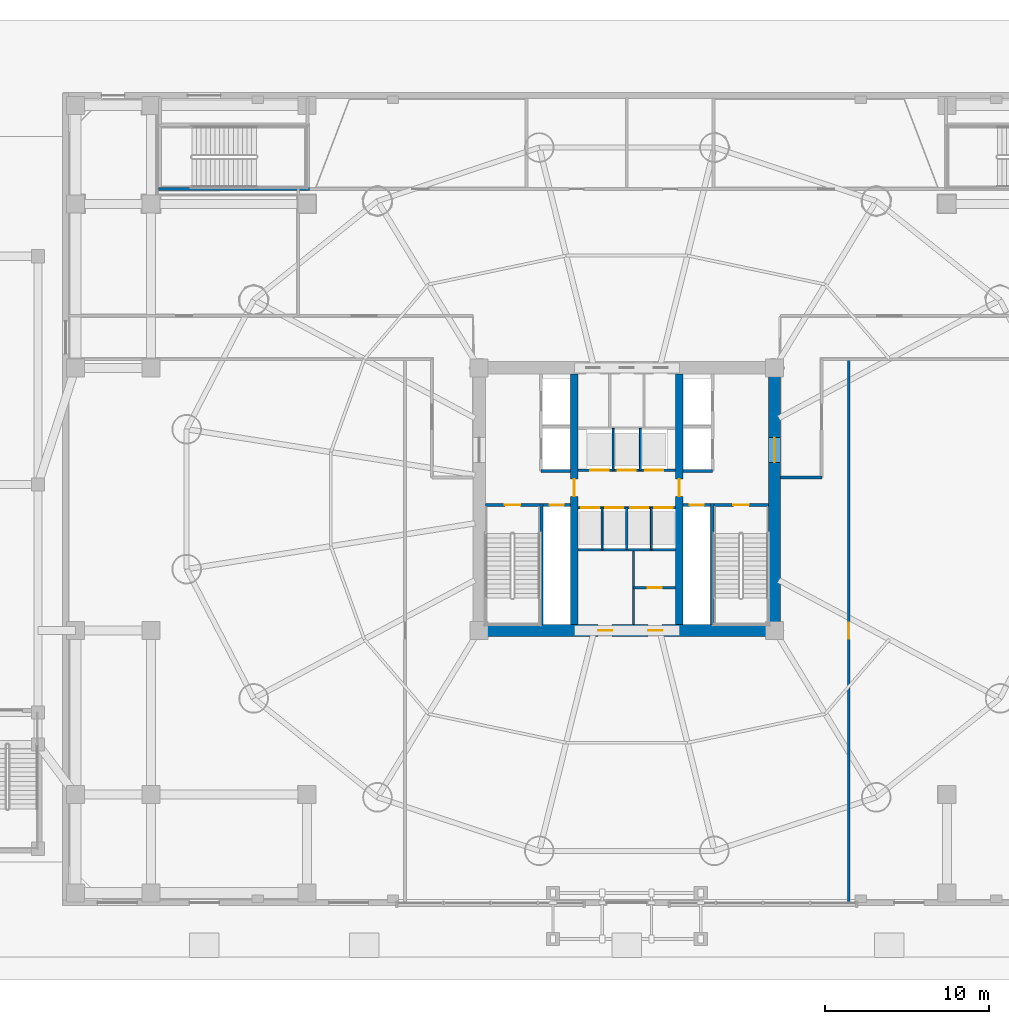
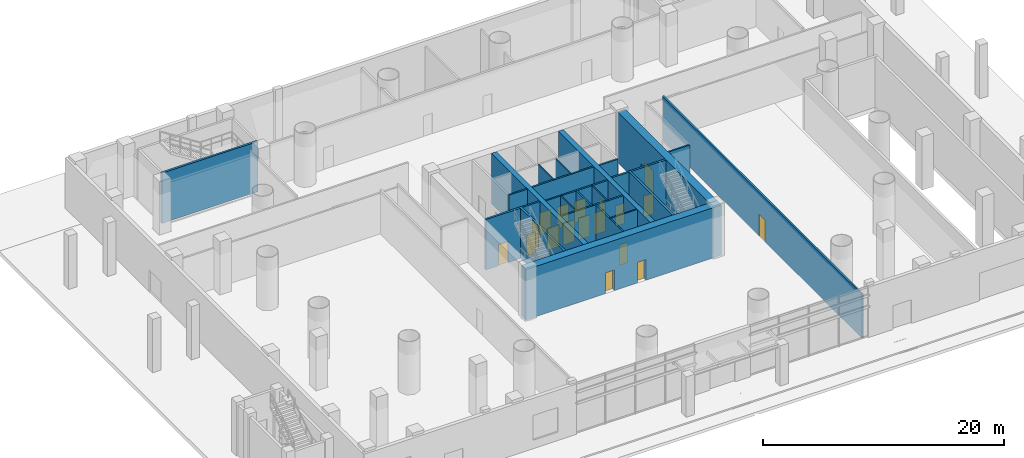
# One storey, part 10 of 25: 25 walls, 18 doors, 18 openings.
"""IFC4 building model written with IfcOpenShell, lengths in metres."""

from ifc_helpers import new_model, si_unit, direction, frame, frame_2d, origin, place, context, subcontext, project, spatial, rectangle, extrude, source, transform, mapped, material, layer, layer_set, type_object, element, fill, save


model = new_model("IFC4")

# Units and contexts
model_context = context("Model", 3, precision=1e-05, world=origin(), true_north=direction((-0.2419218956, 0.970295726276)))
body_context = subcontext(model_context, "Body", "Model", "MODEL_VIEW")
ifc_project = project(units=[si_unit("LENGTHUNIT", "METRE"), si_unit("AREAUNIT", "SQUARE_METRE"), si_unit("VOLUMEUNIT", "CUBIC_METRE"), si_unit("PLANEANGLEUNIT", "RADIAN"), si_unit("MASSUNIT", "GRAM", prefix="KILO")], contexts=[model_context])

# Site, building, storey
site_placement = place(None, origin())
site = spatial("IfcSite", under=ifc_project, at=site_placement, CompositionType="ELEMENT")
building_placement = place(site_placement, origin())
building = spatial("IfcBuilding", under=site, at=building_placement, Name="Cobrevalo Terracotta Tower", CompositionType="ELEMENT")
storey_placement = place(building_placement, origin())
storey = spatial("IfcBuildingStorey", under=building, at=storey_placement, Name="L00", CompositionType="ELEMENT", Elevation=0.0)

# Wall, openings, doors
ifc_material_1 = material(Name="Concrete C60", Category="concrete")
ifc_layer_1 = layer(ifc_material_1, 0.75)
ifc_layer_set_1 = layer_set([ifc_layer_1], Name="Concrete C60")
wall_type_1 = type_object("IfcWallType", Name="Core shear wall 750 mm Concrete C60", PredefinedType="SHEAR", material=ifc_layer_set_1)
wall_1_placement = place(storey_placement, frame((28.625, 18.800048828125, 0.0), z_axis=(0.0, 0.0, 1.0), x_axis=(1.0, 0.0, 0.0)))
wall_1 = element("IfcWall", 1, at=wall_1_placement, inside=storey, type_object=wall_type_1, Name="L00 south core shear wall", PredefinedType="SHEAR", context=body_context, shape_type="SweptSolid", body=[
    extrude(rectangle(XDim=18.75, YDim=0.75, at=frame_2d((9.375, 0.0))), origin(), (0.0, 0.0, 1.0), 5.10009765625),
])
opening_1_placement = place(wall_1_placement, frame((7.62744140625, 0.0, 0.0)))
opening_1 = element("IfcOpeningElement", 2, at=opening_1_placement, cuts=wall_1, Name="Opening ID-22", PredefinedType="OPENING", context=body_context, shape_type="SweptSolid", body=[
    extrude(rectangle(XDim=0.85009765625, YDim=2.10009765625, at=frame_2d((0.425048828125, 1.050048828125))), frame((0.0, 0.385009765625, 0.0), z_axis=(0.0, -1.0, 0.0), x_axis=(1.0, 0.0, 0.0)), (0.0, 0.0, 1.0), 0.77001953125),
])
opening_2_placement = place(wall_1_placement, frame((10.672607421875, 0.0, 0.0)))
opening_2 = element("IfcOpeningElement", 3, at=opening_2_placement, cuts=wall_1, Name="Opening ID-22", PredefinedType="OPENING", context=body_context, shape_type="SweptSolid", body=[
    extrude(rectangle(XDim=0.85009765625, YDim=2.10009765625, at=frame_2d((0.425048828125, 1.050048828125))), frame((0.0, 0.385009765625, 0.0), z_axis=(0.0, -1.0, 0.0), x_axis=(1.0, 0.0, 0.0)), (0.0, 0.0, 1.0), 0.77001953125),
])
ifc_material_2 = material(Name="Powder-coated steel", Category="steel")
door_type_1 = type_object("IfcDoorType", Name="Riser shaft & meter closet fire access door 850x2100 EI 60", OperationType="NOTDEFINED", PredefinedType="DOOR", material=ifc_material_2)
shared_shape_1 = source(origin(), body_context, "Body", "SweptSolid", [
    extrude(rectangle(XDim=0.85009765625, YDim=2.10009765625, at=frame_2d((0.425048828125, 1.050048828125))), frame((0.0, 0.02490234375, 0.0), z_axis=(0.0, -1.0, 0.0), x_axis=(1.0, 0.0, 0.0)), (0.0, 0.0, 1.0), 0.050048828125),
])
door_1_placement = place(opening_1_placement, origin())
door_1 = element("IfcDoor", 4, at=door_1_placement, inside=storey, type_object=door_type_1, Name="L00 core south plant door Floor AHU Mechanical Plant", OperationType="SINGLE_SWING_RIGHT", OverallHeight=2.10009765625, OverallWidth=0.85009765625, PredefinedType="DOOR", context=body_context, shape_type="MappedRepresentation", body=[
    mapped(shared_shape_1, transform((0.0, 0.0, 0.0), scale=1.0)),
])
fill(opening_1, door_1)
door_2_placement = place(opening_2_placement, origin())
door_2 = element("IfcDoor", 5, at=door_2_placement, inside=storey, type_object=door_type_1, Name="L00 core south plant door Sprinkler Valve Plant", OperationType="SINGLE_SWING_RIGHT", OverallHeight=2.10009765625, OverallWidth=0.85009765625, PredefinedType="DOOR", context=body_context, shape_type="MappedRepresentation", body=[
    mapped(shared_shape_1, transform((0.0, 0.0, 0.0), scale=1.0)),
])
fill(opening_2, door_2)

# Wall, opening, door
wall_2_placement = place(storey_placement, frame((47.0, 19.175048828125, 0.0), z_axis=(0.0, 0.0, 1.0), x_axis=(0.0, 1.0, 0.0)))
wall_2 = element("IfcWall", 6, at=wall_2_placement, inside=storey, type_object=wall_type_1, Name="L00 east core shear wall", PredefinedType="SHEAR", context=body_context, shape_type="SweptSolid", body=[
    extrude(rectangle(XDim=15.25, YDim=0.75, at=frame_2d((7.625, 0.0))), origin(), (0.0, 0.0, 1.0), 5.10009765625),
])
opening_3_placement = place(wall_2_placement, frame((9.875, 0.0, 0.0)))
opening_3 = element("IfcOpeningElement", 7, at=opening_3_placement, cuts=wall_2, Name="Opening ID-14", PredefinedType="OPENING", context=body_context, shape_type="SweptSolid", body=[
    extrude(rectangle(XDim=1.5, YDim=2.199951171875, at=frame_2d((0.75, 1.10009765625))), frame((0.0, 0.385009765625, 0.0), z_axis=(0.0, -1.0, 0.0), x_axis=(1.0, 0.0, 0.0)), (0.0, 0.0, 1.0), 0.77001953125),
])
ifc_material_3 = material(Name="Galvanized fire-rated steel", Category="steel")
door_type_2 = type_object("IfcDoorType", Name="Core cross-lobby double fire door 1500x2200 EI 90", OperationType="NOTDEFINED", PredefinedType="DOOR", material=ifc_material_3)
shared_shape_2 = source(origin(), body_context, "Body", "SweptSolid", [
    extrude(rectangle(XDim=1.5, YDim=2.199951171875, at=frame_2d((0.75, 1.10009765625))), frame((0.0, 0.02490234375, 0.0), z_axis=(0.0, -1.0, 0.0), x_axis=(1.0, 0.0, 0.0)), (0.0, 0.0, 1.0), 0.050048828125),
])
door_3_placement = place(opening_3_placement, frame((1.5, 0.0, 0.0), z_axis=(0.0, 0.0, 1.0), x_axis=(-1.0, 0.0, 0.0)))
door_3 = element("IfcDoor", 8, at=door_3_placement, inside=storey, type_object=door_type_2, Name="L00 east firefighting lobby entrance door", OperationType="DOUBLE_DOOR_SINGLE_SWING", OverallHeight=2.199951171875, OverallWidth=1.5, PredefinedType="DOOR", context=body_context, shape_type="MappedRepresentation", body=[
    mapped(shared_shape_2, transform((0.0, 0.0, 0.0), scale=1.0)),
])
fill(opening_3, door_3)

# Walls
ifc_material_4 = material(Name="Gypsum board on steel stud", Category="steel")
ifc_layer_2 = layer(ifc_material_4, 0.159912109375)
ifc_layer_set_2 = layer_set([ifc_layer_2], Name="Gypsum board on steel stud")
wall_type_2 = type_object("IfcWallType", Name="Fire-rated corridor acoustic partition wall 160 mm", PredefinedType="PARTITIONING", material=ifc_layer_set_2)
for number, where, z_axis, x_axis, name in (
    (9, (32.77001953125, 28.52001953125, 0.0), (0.0, 0.0, 1.0), (1.0, 0.0, 0.0), "L00 interior partition IW-L00-FF1-S"),
    (10, (41.425048828125, 28.52001953125, 0.0), (0.0, 0.0, 1.0), (1.0, 0.0, 0.0), "L00 interior partition IW-L00-FF2-S"),
):
    element("IfcWall", number, at=place(storey_placement, frame(where, z_axis=z_axis, x_axis=x_axis)), inside=storey, type_object=wall_type_2, Name=name, PredefinedType="PARTITIONING", context=body_context, shape_type="SweptSolid", body=[
        extrude(rectangle(XDim=1.804931640625, YDim=0.159912109375, at=frame_2d((0.90234375, 0.0))), origin(), (0.0, 0.0, 1.0), 5.10009765625),
    ])

# Wall, openings, doors
wall_3_placement = place(storey_placement, frame((35.02490234375, 28.56005859375, 0.0), z_axis=(0.0, 0.0, 1.0), x_axis=(1.0, 0.0, 0.0)))
wall_3 = element("IfcWall", 11, at=wall_3_placement, inside=storey, type_object=wall_type_2, Name="L00 interior partition IW-L00-LB-S", PredefinedType="PARTITIONING", context=body_context, shape_type="SweptSolid", body=[
    extrude(rectangle(XDim=5.9501953125, YDim=0.159912109375, at=frame_2d((2.97509765625, 0.0))), origin(), (0.0, 0.0, 1.0), 5.10009765625),
])
opening_4_placement = place(wall_3_placement, frame((0.760009765625, 0.0, 0.0)))
opening_4 = element("IfcOpeningElement", 12, at=opening_4_placement, cuts=wall_3, Name="Opening LD-01", PredefinedType="OPENING", context=body_context, shape_type="SweptSolid", body=[
    extrude(rectangle(XDim=1.10009765625, YDim=2.199951171875, at=frame_2d((0.550048828125, 1.10009765625))), frame((0.0, 0.08984375, 0.0), z_axis=(0.0, -1.0, 0.0), x_axis=(1.0, 0.0, 0.0)), (0.0, 0.0, 1.0), 0.179931640625),
])
opening_5_placement = place(wall_3_placement, frame((2.425048828125, 0.0, 0.0)))
opening_5 = element("IfcOpeningElement", 13, at=opening_5_placement, cuts=wall_3, Name="Opening LD-01", PredefinedType="OPENING", context=body_context, shape_type="SweptSolid", body=[
    extrude(rectangle(XDim=1.10009765625, YDim=2.199951171875, at=frame_2d((0.550048828125, 1.10009765625))), frame((0.0, 0.08984375, 0.0), z_axis=(0.0, -1.0, 0.0), x_axis=(1.0, 0.0, 0.0)), (0.0, 0.0, 1.0), 0.179931640625),
])
opening_6_placement = place(wall_3_placement, frame((4.090087890625, 0.0, 0.0)))
opening_6 = element("IfcOpeningElement", 14, at=opening_6_placement, cuts=wall_3, Name="Opening LD-01", PredefinedType="OPENING", context=body_context, shape_type="SweptSolid", body=[
    extrude(rectangle(XDim=1.10009765625, YDim=2.199951171875, at=frame_2d((0.550048828125, 1.10009765625))), frame((0.0, 0.08984375, 0.0), z_axis=(0.0, -1.0, 0.0), x_axis=(1.0, 0.0, 0.0)), (0.0, 0.0, 1.0), 0.179931640625),
])
ifc_material_5 = material(Name="Brushed stainless steel", Category="steel")
door_type_3 = type_object("IfcDoorType", Name="Passenger lift landing bi-parting sliding door 1100x2200 EI 90", OperationType="DOUBLE_DOOR_SLIDING", PredefinedType="DOOR", material=ifc_material_5)
shared_shape_3 = source(origin(), body_context, "Body", "SweptSolid", [
    extrude(rectangle(XDim=1.10009765625, YDim=2.199951171875, at=frame_2d((0.550048828125, 1.10009765625))), frame((0.0, 0.02490234375, 0.0), z_axis=(0.0, -1.0, 0.0), x_axis=(1.0, 0.0, 0.0)), (0.0, 0.0, 1.0), 0.050048828125),
])
door_4_placement = place(opening_4_placement, origin())
door_4 = element("IfcDoor", 15, at=door_4_placement, inside=storey, type_object=door_type_3, Name="L00 lift landing door PL-L1", OperationType="DOUBLE_DOOR_SLIDING", OverallHeight=2.199951171875, OverallWidth=1.10009765625, PredefinedType="DOOR", context=body_context, shape_type="MappedRepresentation", body=[
    mapped(shared_shape_3, transform((0.0, 0.0, 0.0), scale=1.0)),
])
fill(opening_4, door_4)
door_5_placement = place(opening_5_placement, origin())
door_5 = element("IfcDoor", 16, at=door_5_placement, inside=storey, type_object=door_type_3, Name="L00 lift landing door PL-L2", OperationType="DOUBLE_DOOR_SLIDING", OverallHeight=2.199951171875, OverallWidth=1.10009765625, PredefinedType="DOOR", context=body_context, shape_type="MappedRepresentation", body=[
    mapped(shared_shape_3, transform((0.0, 0.0, 0.0), scale=1.0)),
])
fill(opening_5, door_5)
door_6_placement = place(opening_6_placement, origin())
door_6 = element("IfcDoor", 17, at=door_6_placement, inside=storey, type_object=door_type_3, Name="L00 lift landing door PL-L3", OperationType="DOUBLE_DOOR_SLIDING", OverallHeight=2.199951171875, OverallWidth=1.10009765625, PredefinedType="DOOR", context=body_context, shape_type="MappedRepresentation", body=[
    mapped(shared_shape_3, transform((0.0, 0.0, 0.0), scale=1.0)),
])
fill(opening_6, door_6)

wall_4_placement = place(storey_placement, frame((35.02490234375, 26.280029296875, 0.0), z_axis=(0.0, 0.0, 1.0), x_axis=(1.0, 0.0, 0.0)))
wall_4 = element("IfcWall", 18, at=wall_4_placement, inside=storey, type_object=wall_type_2, Name="L00 interior partition IW-L00-MB-N", PredefinedType="PARTITIONING", context=body_context, shape_type="SweptSolid", body=[
    extrude(rectangle(XDim=5.9501953125, YDim=0.159912109375, at=frame_2d((2.97509765625, 0.0))), origin(), (0.0, 0.0, 1.0), 5.10009765625),
])
opening_7_placement = place(wall_4_placement, frame((0.18994140625, 0.0, 0.0)))
opening_7 = element("IfcOpeningElement", 19, at=opening_7_placement, cuts=wall_4, Name="Opening LD-01", PredefinedType="OPENING", context=body_context, shape_type="SweptSolid", body=[
    extrude(rectangle(XDim=1.10009765625, YDim=2.199951171875, at=frame_2d((0.550048828125, 1.10009765625))), frame((0.0, 0.08984375, 0.0), z_axis=(0.0, -1.0, 0.0), x_axis=(1.0, 0.0, 0.0)), (0.0, 0.0, 1.0), 0.179931640625),
])
opening_8_placement = place(wall_4_placement, frame((1.669921875, 0.0, 0.0)))
opening_8 = element("IfcOpeningElement", 20, at=opening_8_placement, cuts=wall_4, Name="Opening LD-01", PredefinedType="OPENING", context=body_context, shape_type="SweptSolid", body=[
    extrude(rectangle(XDim=1.10009765625, YDim=2.199951171875, at=frame_2d((0.550048828125, 1.10009765625))), frame((0.0, 0.08984375, 0.0), z_axis=(0.0, -1.0, 0.0), x_axis=(1.0, 0.0, 0.0)), (0.0, 0.0, 1.0), 0.179931640625),
])
opening_9_placement = place(wall_4_placement, frame((3.179931640625, 0.0, 0.0)))
opening_9 = element("IfcOpeningElement", 21, at=opening_9_placement, cuts=wall_4, Name="Opening LD-01", PredefinedType="OPENING", context=body_context, shape_type="SweptSolid", body=[
    extrude(rectangle(XDim=1.10009765625, YDim=2.199951171875, at=frame_2d((0.550048828125, 1.10009765625))), frame((0.0, 0.08984375, 0.0), z_axis=(0.0, -1.0, 0.0), x_axis=(1.0, 0.0, 0.0)), (0.0, 0.0, 1.0), 0.179931640625),
])
opening_10_placement = place(wall_4_placement, frame((4.659912109375, 0.0, 0.0)))
opening_10 = element("IfcOpeningElement", 22, at=opening_10_placement, cuts=wall_4, Name="Opening LD-01", PredefinedType="OPENING", context=body_context, shape_type="SweptSolid", body=[
    extrude(rectangle(XDim=1.10009765625, YDim=2.199951171875, at=frame_2d((0.550048828125, 1.10009765625))), frame((0.0, 0.08984375, 0.0), z_axis=(0.0, -1.0, 0.0), x_axis=(1.0, 0.0, 0.0)), (0.0, 0.0, 1.0), 0.179931640625),
])
door_7_placement = place(opening_7_placement, origin())
door_7 = element("IfcDoor", 23, at=door_7_placement, inside=storey, type_object=door_type_3, Name="L00 lift landing door PL-M1", OperationType="DOUBLE_DOOR_SLIDING", OverallHeight=2.199951171875, OverallWidth=1.10009765625, PredefinedType="DOOR", context=body_context, shape_type="MappedRepresentation", body=[
    mapped(shared_shape_3, transform((0.0, 0.0, 0.0), scale=1.0)),
])
fill(opening_7, door_7)
door_8_placement = place(opening_8_placement, origin())
door_8 = element("IfcDoor", 24, at=door_8_placement, inside=storey, type_object=door_type_3, Name="L00 lift landing door PL-M2", OperationType="DOUBLE_DOOR_SLIDING", OverallHeight=2.199951171875, OverallWidth=1.10009765625, PredefinedType="DOOR", context=body_context, shape_type="MappedRepresentation", body=[
    mapped(shared_shape_3, transform((0.0, 0.0, 0.0), scale=1.0)),
])
fill(opening_8, door_8)
door_9_placement = place(opening_9_placement, origin())
door_9 = element("IfcDoor", 25, at=door_9_placement, inside=storey, type_object=door_type_3, Name="L00 lift landing door PL-H1", OperationType="DOUBLE_DOOR_SLIDING", OverallHeight=2.199951171875, OverallWidth=1.10009765625, PredefinedType="DOOR", context=body_context, shape_type="MappedRepresentation", body=[
    mapped(shared_shape_3, transform((0.0, 0.0, 0.0), scale=1.0)),
])
fill(opening_9, door_9)
door_10_placement = place(opening_10_placement, origin())
door_10 = element("IfcDoor", 26, at=door_10_placement, inside=storey, type_object=door_type_3, Name="L00 lift landing door PL-H2", OperationType="DOUBLE_DOOR_SLIDING", OverallHeight=2.199951171875, OverallWidth=1.10009765625, PredefinedType="DOOR", context=body_context, shape_type="MappedRepresentation", body=[
    mapped(shared_shape_3, transform((0.0, 0.0, 0.0), scale=1.0)),
])
fill(opening_10, door_10)

# Walls
wall_5_placement = place(storey_placement, frame((35.02490234375, 23.719970703125, 0.0), z_axis=(0.0, 0.0, 1.0), x_axis=(1.0, 0.0, 0.0)))
element("IfcWall", 27, at=wall_5_placement, inside=storey, type_object=wall_type_2, Name="L00 interior partition IW-L00-MB-S", PredefinedType="PARTITIONING", context=body_context, shape_type="SweptSolid", body=[
    extrude(rectangle(XDim=5.9501953125, YDim=0.159912109375, at=frame_2d((2.97509765625, 0.0))), origin(), (0.0, 0.0, 1.0), 5.10009765625),
])
wall_6_placement = place(storey_placement, frame((47.375, 28.1201171875, 0.0), z_axis=(0.0, 0.0, 1.0), x_axis=(1.0, 0.0, 0.0)))
element("IfcWall", 28, at=wall_6_placement, inside=storey, type_object=wall_type_2, Name="L00 interior partition IW-L00-EPE-B", PredefinedType="PARTITIONING", context=body_context, shape_type="SweptSolid", body=[
    extrude(rectangle(XDim=2.5048828125, YDim=0.159912109375, at=frame_2d((1.25244140625, 0.0))), origin(), (0.0, 0.0, 1.0), 4.449951171875),
])

# Wall, opening, door
wall_7_placement = place(storey_placement, frame((51.52001953125, 2.239990234375, 0.0), z_axis=(0.0, 0.0, 1.0), x_axis=(0.0, 1.0, 0.0)))
wall_7 = element("IfcWall", 29, at=wall_7_placement, inside=storey, type_object=wall_type_2, Name="L00 interior partition IW-L00-RE-W", PredefinedType="PARTITIONING", context=body_context, shape_type="SweptSolid", body=[
    extrude(rectangle(XDim=33.080078125, YDim=0.159912109375, at=frame_2d((16.5400390625, 0.0))), origin(), (0.0, 0.0, 1.0), 4.449951171875),
])
opening_11_placement = place(wall_7_placement, frame((16.050048828125, 0.0, 0.0)))
opening_11 = element("IfcOpeningElement", 30, at=opening_11_placement, cuts=wall_7, Name="Opening ID-05", PredefinedType="OPENING", context=body_context, shape_type="SweptSolid", body=[
    extrude(rectangle(XDim=0.97998046875, YDim=2.199951171875, at=frame_2d((0.489990234375, 1.10009765625))), frame((0.0, 0.08984375, 0.0), z_axis=(0.0, -1.0, 0.0), x_axis=(1.0, 0.0, 0.0)), (0.0, 0.0, 1.0), 0.179931640625),
])
ifc_material_6 = material(Name="Solid hardwood timber", Category="wood")
door_type_4 = type_object("IfcDoorType", Name="Residence entrance fire-rated acoustic timber door 980x2200 EI 60", OperationType="NOTDEFINED", PredefinedType="DOOR", material=ifc_material_6)
shared_shape_4 = source(origin(), body_context, "Body", "SweptSolid", [
    extrude(rectangle(XDim=0.97998046875, YDim=2.199951171875, at=frame_2d((0.489990234375, 1.10009765625))), frame((0.0, 0.02490234375, 0.0), z_axis=(0.0, -1.0, 0.0), x_axis=(1.0, 0.0, 0.0)), (0.0, 0.0, 1.0), 0.050048828125),
])
door_11_placement = place(opening_11_placement, frame((0.97998046875, 0.0, 0.0), z_axis=(0.0, 0.0, 1.0), x_axis=(-1.0, 0.0, 0.0)))
door_11 = element("IfcDoor", 31, at=door_11_placement, inside=storey, type_object=door_type_4, Name="South-East Cafe and Bakery Gallery door", OperationType="SINGLE_SWING_RIGHT", OverallHeight=2.199951171875, OverallWidth=0.97998046875, PredefinedType="DOOR", context=body_context, shape_type="MappedRepresentation", body=[
    mapped(shared_shape_4, transform((0.0, 0.0, 0.0), scale=1.0)),
])
fill(opening_11, door_11)

ifc_layer_3 = layer(ifc_material_4, 0.179931640625)
ifc_layer_set_3 = layer_set([ifc_layer_3], Name="Gypsum board on steel stud")
wall_type_3 = type_object("IfcWallType", Name="Fire-rated shaft & lobby acoustic partition wall 180 mm", PredefinedType="PARTITIONING", material=ifc_layer_set_3)
wall_8_placement = place(storey_placement, frame((32.89990234375, 26.449951171875, 0.0), z_axis=(0.0, 0.0, 1.0), x_axis=(1.0, 0.0, 0.0)))
wall_8 = element("IfcWall", 32, at=wall_8_placement, inside=storey, type_object=wall_type_3, Name="L00 interior partition IW-L00-RSW-N", PredefinedType="PARTITIONING", context=body_context, shape_type="SweptSolid", body=[
    extrude(rectangle(XDim=1.675048828125, YDim=0.179931640625, at=frame_2d((0.83740234375, 0.0))), origin(), (0.0, 0.0, 1.0), 5.10009765625),
])
opening_12_placement = place(wall_8_placement, frame((0.41259765625, 0.0, 0.0)))
opening_12 = element("IfcOpeningElement", 33, at=opening_12_placement, cuts=wall_8, Name="Opening ID-22", PredefinedType="OPENING", context=body_context, shape_type="SweptSolid", body=[
    extrude(rectangle(XDim=0.85009765625, YDim=2.10009765625, at=frame_2d((0.425048828125, 1.050048828125))), frame((0.0, 0.10009765625, 0.0), z_axis=(0.0, -1.0, 0.0), x_axis=(1.0, 0.0, 0.0)), (0.0, 0.0, 1.0), 0.199951171875),
])
door_12_placement = place(opening_12_placement, origin())
door_12 = element("IfcDoor", 34, at=door_12_placement, inside=storey, type_object=door_type_1, Name="L00 riser access door RSW", OperationType="SINGLE_SWING_LEFT", OverallHeight=2.10009765625, OverallWidth=0.85009765625, PredefinedType="DOOR", context=body_context, shape_type="MappedRepresentation", body=[
    mapped(shared_shape_1, transform((0.0, 0.0, 0.0), scale=1.0)),
])
fill(opening_12, door_12)

wall_9_placement = place(storey_placement, frame((41.425048828125, 26.449951171875, 0.0), z_axis=(0.0, 0.0, 1.0), x_axis=(1.0, 0.0, 0.0)))
wall_9 = element("IfcWall", 35, at=wall_9_placement, inside=storey, type_object=wall_type_3, Name="L00 interior partition IW-L00-RSE-N", PredefinedType="PARTITIONING", context=body_context, shape_type="SweptSolid", body=[
    extrude(rectangle(XDim=1.675048828125, YDim=0.179931640625, at=frame_2d((0.83740234375, 0.0))), origin(), (0.0, 0.0, 1.0), 5.10009765625),
])
opening_13_placement = place(wall_9_placement, frame((0.41259765625, 0.0, 0.0)))
opening_13 = element("IfcOpeningElement", 36, at=opening_13_placement, cuts=wall_9, Name="Opening ID-22", PredefinedType="OPENING", context=body_context, shape_type="SweptSolid", body=[
    extrude(rectangle(XDim=0.85009765625, YDim=2.10009765625, at=frame_2d((0.425048828125, 1.050048828125))), frame((0.0, 0.10009765625, 0.0), z_axis=(0.0, -1.0, 0.0), x_axis=(1.0, 0.0, 0.0)), (0.0, 0.0, 1.0), 0.199951171875),
])
door_13_placement = place(opening_13_placement, origin())
door_13 = element("IfcDoor", 37, at=door_13_placement, inside=storey, type_object=door_type_1, Name="L00 riser access door RSE", OperationType="SINGLE_SWING_RIGHT", OverallHeight=2.10009765625, OverallWidth=0.85009765625, PredefinedType="DOOR", context=body_context, shape_type="MappedRepresentation", body=[
    mapped(shared_shape_1, transform((0.0, 0.0, 0.0), scale=1.0)),
])
fill(opening_13, door_13)

# Walls
ifc_material_7 = material(Name="Autoclaved aerated concrete block", Category="concrete")
ifc_layer_4 = layer(ifc_material_7, 0.1201171875)
ifc_layer_set_4 = layer_set([ifc_layer_4], Name="Autoclaved aerated concrete block")
wall_type_4 = type_object("IfcWallType", Name="Fire-rated wet-room & core service partition 120 mm", PredefinedType="PARTITIONING", material=ifc_layer_set_4)
for number, where, z_axis, x_axis, name in (
    (38, (37.169921875, 28.56005859375, 0.0), (0.0, 0.0, 1.0), (0.0, 1.0, 0.0), "L00 interior partition IW-L00-LB-D1"),
    (39, (38.830078125, 28.56005859375, 0.0), (0.0, 0.0, 1.0), (0.0, 1.0, 0.0), "L00 interior partition IW-L00-LB-D2"),
    (40, (36.5, 23.719970703125, 0.0), (0.0, 0.0, 1.0), (0.0, 1.0, 0.0), "L00 interior partition IW-L00-MB-D1"),
    (41, (39.5, 23.719970703125, 0.0), (0.0, 0.0, 1.0), (0.0, 1.0, 0.0), "L00 interior partition IW-L00-MB-D3"),
):
    element("IfcWall", number, at=place(storey_placement, frame(where, z_axis=z_axis, x_axis=x_axis)), inside=storey, type_object=wall_type_4, Name=name, PredefinedType="PARTITIONING", context=body_context, shape_type="SweptSolid", body=[
        extrude(rectangle(XDim=2.56005859375, YDim=0.1201171875, at=frame_2d((1.280029296875, 0.0))), origin(), (0.0, 0.0, 1.0), 5.10009765625),
    ])

# Wall, opening, door
ifc_material_8 = material(Name="Concrete C55", Category="concrete")
ifc_layer_5 = layer(ifc_material_8, 0.449951171875)
ifc_layer_set_5 = layer_set([ifc_layer_5], Name="Concrete C55")
wall_type_5 = type_object("IfcWallType", Name="Internal core shear web wall 450 mm Concrete C55", PredefinedType="SHEAR", material=ifc_layer_set_5)
wall_10_placement = place(storey_placement, frame((34.800048828125, 19.175048828125, 0.0), z_axis=(0.0, 0.0, 1.0), x_axis=(0.0, 1.0, 0.0)))
wall_10 = element("IfcWall", 42, at=wall_10_placement, inside=storey, type_object=wall_type_5, Name="L00 internal core shear wall WEB-W", PredefinedType="SHEAR", context=body_context, shape_type="SweptSolid", body=[
    extrude(rectangle(XDim=15.25, YDim=0.449951171875, at=frame_2d((7.625, 0.0))), origin(), (0.0, 0.0, 1.0), 5.10009765625),
])
opening_14_placement = place(wall_10_placement, frame((7.800048828125, 0.0, 0.0)))
opening_14 = element("IfcOpeningElement", 43, at=opening_14_placement, cuts=wall_10, Name="Opening ID-11", PredefinedType="OPENING", context=body_context, shape_type="SweptSolid", body=[
    extrude(rectangle(XDim=1.050048828125, YDim=2.14990234375, at=frame_2d((0.52490234375, 1.074951171875))), frame((0.0, 0.23486328125, 0.0), z_axis=(0.0, -1.0, 0.0), x_axis=(1.0, 0.0, 0.0)), (0.0, 0.0, 1.0), 0.469970703125),
])
door_type_5 = type_object("IfcDoorType", Name="Core concourse cross fire door 1050x2150 EI 90", OperationType="NOTDEFINED", PredefinedType="DOOR", material=ifc_material_3)
shared_shape_5 = source(origin(), body_context, "Body", "SweptSolid", [
    extrude(rectangle(XDim=1.050048828125, YDim=2.14990234375, at=frame_2d((0.52490234375, 1.074951171875))), frame((0.0, 0.02490234375, 0.0), z_axis=(0.0, -1.0, 0.0), x_axis=(1.0, 0.0, 0.0)), (0.0, 0.0, 1.0), 0.050048828125),
])
door_14_placement = place(opening_14_placement, origin())
door_14 = element("IfcDoor", 44, at=door_14_placement, inside=storey, type_object=door_type_5, Name="L00 west core concourse cross door", OperationType="SINGLE_SWING_LEFT", OverallHeight=2.14990234375, OverallWidth=1.050048828125, PredefinedType="DOOR", context=body_context, shape_type="MappedRepresentation", body=[
    mapped(shared_shape_5, transform((0.0, 0.0, 0.0), scale=1.0)),
])
fill(opening_14, door_14)

wall_11_placement = place(storey_placement, frame((41.199951171875, 19.175048828125, 0.0), z_axis=(0.0, 0.0, 1.0), x_axis=(0.0, 1.0, 0.0)))
wall_11 = element("IfcWall", 45, at=wall_11_placement, inside=storey, type_object=wall_type_5, Name="L00 internal core shear wall WEB-E", PredefinedType="SHEAR", context=body_context, shape_type="SweptSolid", body=[
    extrude(rectangle(XDim=15.25, YDim=0.449951171875, at=frame_2d((7.625, 0.0))), origin(), (0.0, 0.0, 1.0), 5.10009765625),
])
opening_15_placement = place(wall_11_placement, frame((7.800048828125, 0.0, 0.0)))
opening_15 = element("IfcOpeningElement", 46, at=opening_15_placement, cuts=wall_11, Name="Opening ID-11", PredefinedType="OPENING", context=body_context, shape_type="SweptSolid", body=[
    extrude(rectangle(XDim=1.050048828125, YDim=2.14990234375, at=frame_2d((0.52490234375, 1.074951171875))), frame((0.0, 0.23486328125, 0.0), z_axis=(0.0, -1.0, 0.0), x_axis=(1.0, 0.0, 0.0)), (0.0, 0.0, 1.0), 0.469970703125),
])
door_15_placement = place(opening_15_placement, frame((1.050048828125, 0.0, 0.0), z_axis=(0.0, 0.0, 1.0), x_axis=(-1.0, 0.0, 0.0)))
door_15 = element("IfcDoor", 47, at=door_15_placement, inside=storey, type_object=door_type_5, Name="L00 east core concourse cross door", OperationType="SINGLE_SWING_RIGHT", OverallHeight=2.14990234375, OverallWidth=1.050048828125, PredefinedType="DOOR", context=body_context, shape_type="MappedRepresentation", body=[
    mapped(shared_shape_5, transform((0.0, 0.0, 0.0), scale=1.0)),
])
fill(opening_15, door_15)

# Walls
ifc_layer_6 = layer(ifc_material_7, 0.139892578125)
ifc_layer_set_6 = layer_set([ifc_layer_6], Name="Autoclaved aerated concrete block")
wall_type_6 = type_object("IfcWallType", Name="Moisture-resistant wet-room & core service partition 140 mm", PredefinedType="PARTITIONING", material=ifc_layer_set_6)
wall_12_placement = place(storey_placement, frame((38.0, 23.719970703125, 0.0), z_axis=(0.0, 0.0, 1.0), x_axis=(0.0, 1.0, 0.0)))
element("IfcWall", 48, at=wall_12_placement, inside=storey, type_object=wall_type_6, Name="L00 interior partition IW-L00-MB-D2", PredefinedType="PARTITIONING", context=body_context, shape_type="SweptSolid", body=[
    extrude(rectangle(XDim=2.56005859375, YDim=0.139892578125, at=frame_2d((1.280029296875, 0.0))), origin(), (0.0, 0.0, 1.0), 5.10009765625),
])
wall_13_placement = place(storey_placement, frame((38.39990234375, 19.175048828125, 0.0), z_axis=(0.0, 0.0, 1.0), x_axis=(0.0, 1.0, 0.0)))
element("IfcWall", 49, at=wall_13_placement, inside=storey, type_object=wall_type_6, Name="L00 interior partition IW-L00-KVS-L1", PredefinedType="PARTITIONING", context=body_context, shape_type="SweptSolid", body=[
    extrude(rectangle(XDim=4.46484375, YDim=0.139892578125, at=frame_2d((2.232421875, 0.0))), origin(), (0.0, 0.0, 1.0), 5.10009765625),
])

# Wall, opening, door
wall_14_placement = place(storey_placement, frame((38.39990234375, 21.407470703125, 0.0), z_axis=(0.0, 0.0, 1.0), x_axis=(1.0, 0.0, 0.0)))
wall_14 = element("IfcWall", 50, at=wall_14_placement, inside=storey, type_object=wall_type_6, Name="L00 interior partition IW-L00-KVS-L2", PredefinedType="PARTITIONING", context=body_context, shape_type="SweptSolid", body=[
    extrude(rectangle(XDim=2.5751953125, YDim=0.139892578125, at=frame_2d((1.28759765625, 0.0))), origin(), (0.0, 0.0, 1.0), 5.10009765625),
])
opening_16_placement = place(wall_14_placement, frame((0.862548828125, 0.0, 0.0)))
opening_16 = element("IfcOpeningElement", 51, at=opening_16_placement, cuts=wall_14, Name="Opening ID-22", PredefinedType="OPENING", context=body_context, shape_type="SweptSolid", body=[
    extrude(rectangle(XDim=0.85009765625, YDim=2.10009765625, at=frame_2d((0.425048828125, 1.050048828125))), frame((0.0, 0.080078125, 0.0), z_axis=(0.0, -1.0, 0.0), x_axis=(1.0, 0.0, 0.0)), (0.0, 0.0, 1.0), 0.159912109375),
])
door_16_placement = place(opening_16_placement, origin())
door_16 = element("IfcDoor", 52, at=door_16_placement, inside=storey, type_object=door_type_1, Name="L00 core KVS-L2 inner door", OperationType="SINGLE_SWING_LEFT", OverallHeight=2.10009765625, OverallWidth=0.85009765625, PredefinedType="DOOR", context=body_context, shape_type="MappedRepresentation", body=[
    mapped(shared_shape_1, transform((0.0, 0.0, 0.0), scale=1.0)),
])
fill(opening_16, door_16)

# Wall
ifc_material_9 = material(Name="Concrete C50", Category="concrete")
ifc_layer_7 = layer(ifc_material_9, 0.199951171875)
ifc_layer_set_7 = layer_set([ifc_layer_7], Name="Concrete C50")
wall_type_7 = type_object("IfcWallType", Name="Structural core & podium stair-shaft RC wall 200 mm Concrete C50", PredefinedType="SOLIDWALL", material=ifc_layer_set_7)
wall_15_placement = place(storey_placement, frame((32.794921875, 19.175048828125, 0.0), z_axis=(0.0, 0.0, 1.0), x_axis=(0.0, 1.0, 0.0)))
element("IfcWall", 53, at=wall_15_placement, inside=storey, type_object=wall_type_7, Name="L00 ST-1 east structural shaft wall", PredefinedType="SOLIDWALL", context=body_context, shape_type="SweptSolid", body=[
    extrude(rectangle(XDim=7.375, YDim=0.199951171875, at=frame_2d((3.6875, 0.0))), origin(), (0.0, 0.0, 1.0), 5.10009765625),
])

# Wall, opening, door
wall_16_placement = place(storey_placement, frame((29.375, 26.449951171875, 0.0), z_axis=(0.0, 0.0, 1.0), x_axis=(1.0, 0.0, 0.0)))
wall_16 = element("IfcWall", 54, at=wall_16_placement, inside=storey, type_object=wall_type_7, Name="L00 ST-1 north structural shaft wall", PredefinedType="SOLIDWALL", context=body_context, shape_type="SweptSolid", body=[
    extrude(rectangle(XDim=3.320068359375, YDim=0.199951171875, at=frame_2d((1.66015625, 0.0))), origin(), (0.0, 0.0, 1.0), 5.10009765625),
])
opening_17_placement = place(wall_16_placement, frame((1.18505859375, 0.0, 0.0)))
opening_17 = element("IfcOpeningElement", 55, at=opening_17_placement, cuts=wall_16, Name="Opening ID-04", PredefinedType="OPENING", context=body_context, shape_type="SweptSolid", body=[
    extrude(rectangle(XDim=0.949951171875, YDim=2.14990234375, at=frame_2d((0.47509765625, 1.074951171875))), frame((0.0, 0.10986328125, 0.0), z_axis=(0.0, -1.0, 0.0), x_axis=(1.0, 0.0, 0.0)), (0.0, 0.0, 1.0), 0.219970703125),
])
door_type_6 = type_object("IfcDoorType", Name="Stair & firefighting lobby fire door 950x2150 EI 90", OperationType="NOTDEFINED", PredefinedType="DOOR", material=ifc_material_3)
shared_shape_6 = source(origin(), body_context, "Body", "SweptSolid", [
    extrude(rectangle(XDim=0.949951171875, YDim=2.14990234375, at=frame_2d((0.47509765625, 1.074951171875))), frame((0.0, 0.02490234375, 0.0), z_axis=(0.0, -1.0, 0.0), x_axis=(1.0, 0.0, 0.0)), (0.0, 0.0, 1.0), 0.050048828125),
])
door_17_placement = place(opening_17_placement, origin())
door_17 = element("IfcDoor", 56, at=door_17_placement, inside=storey, type_object=door_type_6, Name="L00 protected stair ST1 fire door", OperationType="SINGLE_SWING_LEFT", OverallHeight=2.14990234375, OverallWidth=0.949951171875, PredefinedType="DOOR", context=body_context, shape_type="MappedRepresentation", body=[
    mapped(shared_shape_6, transform((0.0, 0.0, 0.0), scale=1.0)),
])
fill(opening_17, door_17)

# Wall
wall_17_placement = place(storey_placement, frame((43.205078125, 19.175048828125, 0.0), z_axis=(0.0, 0.0, 1.0), x_axis=(0.0, 1.0, 0.0)))
element("IfcWall", 57, at=wall_17_placement, inside=storey, type_object=wall_type_7, Name="L00 ST-2 west structural shaft wall", PredefinedType="SOLIDWALL", context=body_context, shape_type="SweptSolid", body=[
    extrude(rectangle(XDim=7.375, YDim=0.199951171875, at=frame_2d((3.6875, 0.0))), origin(), (0.0, 0.0, 1.0), 5.10009765625),
])

# Wall, opening, door
wall_18_placement = place(storey_placement, frame((43.304931640625, 26.449951171875, 0.0), z_axis=(0.0, 0.0, 1.0), x_axis=(1.0, 0.0, 0.0)))
wall_18 = element("IfcWall", 58, at=wall_18_placement, inside=storey, type_object=wall_type_7, Name="L00 ST-2 north structural shaft wall", PredefinedType="SOLIDWALL", context=body_context, shape_type="SweptSolid", body=[
    extrude(rectangle(XDim=3.320068359375, YDim=0.199951171875, at=frame_2d((1.66015625, 0.0))), origin(), (0.0, 0.0, 1.0), 5.10009765625),
])
opening_18_placement = place(wall_18_placement, frame((1.18505859375, 0.0, 0.0)))
opening_18 = element("IfcOpeningElement", 59, at=opening_18_placement, cuts=wall_18, Name="Opening ID-04", PredefinedType="OPENING", context=body_context, shape_type="SweptSolid", body=[
    extrude(rectangle(XDim=0.949951171875, YDim=2.14990234375, at=frame_2d((0.47509765625, 1.074951171875))), frame((0.0, 0.10986328125, 0.0), z_axis=(0.0, -1.0, 0.0), x_axis=(1.0, 0.0, 0.0)), (0.0, 0.0, 1.0), 0.219970703125),
])
door_18_placement = place(opening_18_placement, frame((0.949951171875, 0.0, 0.0), z_axis=(0.0, 0.0, 1.0), x_axis=(-1.0, 0.0, 0.0)))
door_18 = element("IfcDoor", 60, at=door_18_placement, inside=storey, type_object=door_type_6, Name="L00 protected stair ST2 fire door", OperationType="SINGLE_SWING_RIGHT", OverallHeight=2.14990234375, OverallWidth=0.949951171875, PredefinedType="DOOR", context=body_context, shape_type="MappedRepresentation", body=[
    mapped(shared_shape_6, transform((0.0, 0.0, 0.0), scale=1.0)),
])
fill(opening_18, door_18)

# Wall
wall_19_placement = place(storey_placement, frame((9.449951171875, 45.699951171875, 0.0), z_axis=(0.0, 0.0, 1.0), x_axis=(1.0, 0.0, 0.0)))
element("IfcWall", 61, at=wall_19_placement, inside=storey, type_object=wall_type_7, Name="L00 STP1 south structural shaft wall", PredefinedType="SOLIDWALL", context=body_context, shape_type="SweptSolid", body=[
    extrude(rectangle(XDim=9.199951171875, YDim=0.199951171875, at=frame_2d((4.60009765625, 0.0))), origin(), (0.0, 0.0, 1.0), 5.10009765625),
])

save(model, "model.ifc")
